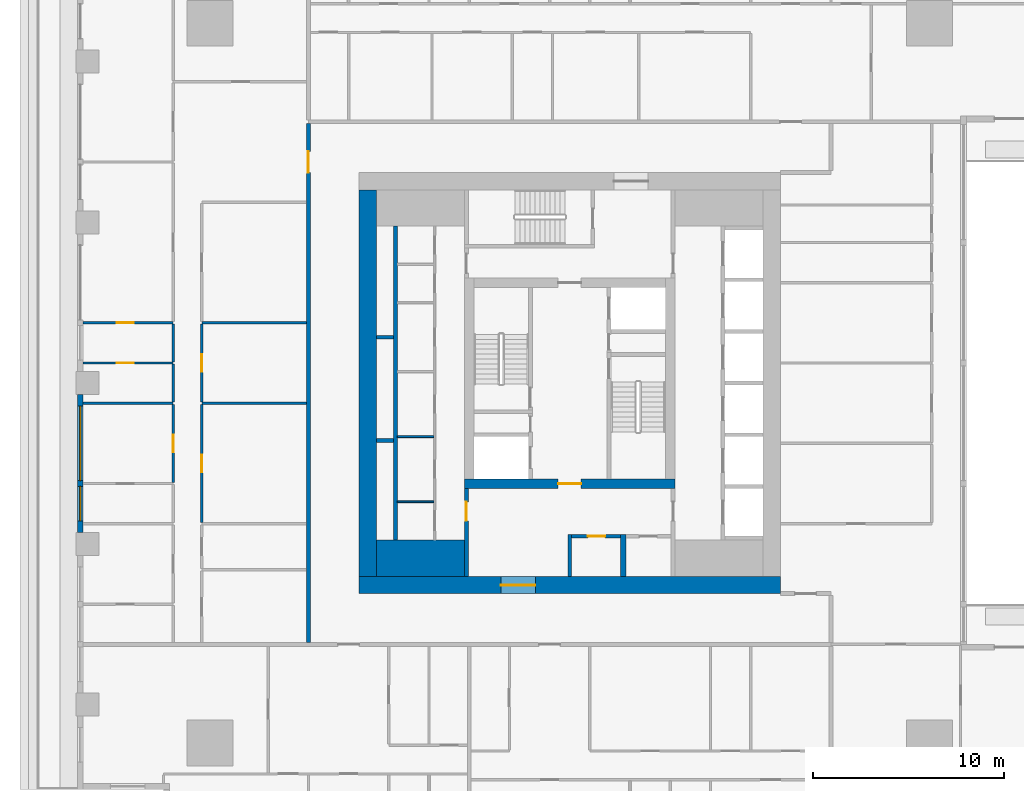
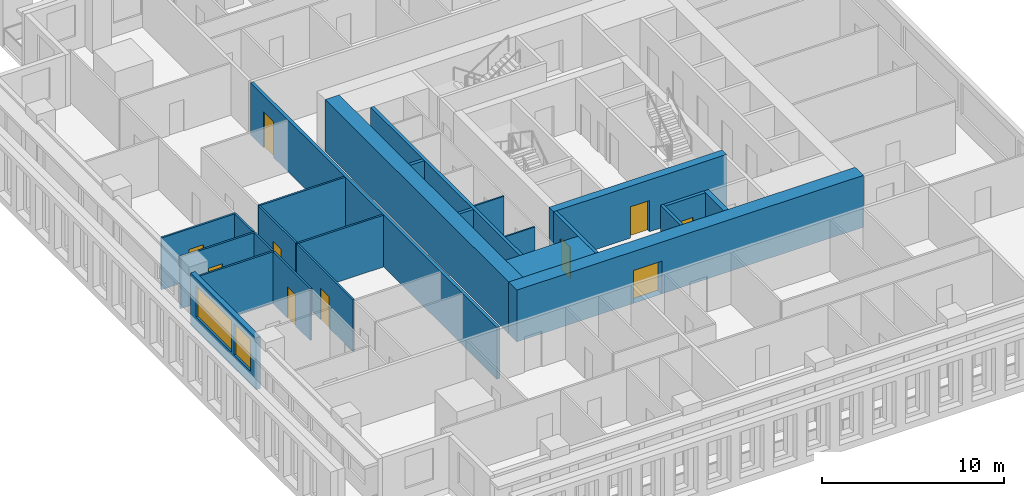
# One storey, part 3 of 15: 25 walls, 10 doors, 2 windows, 12 openings.
"""IFC4 building model written with IfcOpenShell, lengths in metres."""

from ifc_helpers import new_model, si_unit, direction, frame, frame_2d, origin, place, context, subcontext, project, spatial, rectangle, extrude, material, layer, layer_set, type_object, element, fill, save


model = new_model("IFC4")

# Units and contexts
model_context = context("Model", 3, precision=1e-05, world=origin(), true_north=direction((0.0, 1.0)))
body_context = subcontext(model_context, "Body", "Model", "MODEL_VIEW")
ifc_project = project(units=[si_unit("LENGTHUNIT", "METRE"), si_unit("AREAUNIT", "SQUARE_METRE"), si_unit("VOLUMEUNIT", "CUBIC_METRE"), si_unit("PLANEANGLEUNIT", "RADIAN"), si_unit("MASSUNIT", "GRAM", prefix="KILO")], contexts=[model_context])

# Site, building, storey
site_placement = place(None, origin())
site = spatial("IfcSite", under=ifc_project, at=site_placement, CompositionType="ELEMENT")
building_placement = place(site_placement, origin())
building = spatial("IfcBuilding", under=site, at=building_placement, Name="Khepri Terraces", CompositionType="ELEMENT")
storey_placement = place(building_placement, frame((0.0, 0.0, 227.39990234375)))
storey = spatial("IfcBuildingStorey", under=building, at=storey_placement, Name="L54", CompositionType="ELEMENT", Elevation=227.39990234375)

# Walls
ifc_material_1 = material(Name="Concrete C50/60", Category="concrete")
ifc_layer_1 = layer(ifc_material_1, 1.89990234375, Name="Concrete C50/60", Category="concrete")
ifc_layer_set_1 = layer_set([ifc_layer_1], Name="Concrete C50/60")
wall_type_1 = type_object("IfcWallType", Name="Core wall 1900 C50/60", PredefinedType="SHEAR", material=ifc_layer_set_1)
wall_1_placement = place(storey_placement, frame((-10.10009765625, -9.14990234375, 0.0), z_axis=(0.0, 0.0, 1.0), x_axis=(1.0, 0.0, 0.0)))
element("IfcWall", 1, at=wall_1_placement, inside=storey, type_object=wall_type_1, Name="Core wall PR01 L54", PredefinedType="SHEAR", context=body_context, shape_type="SweptSolid", body=[
    extrude(rectangle(XDim=4.60009765625, YDim=1.89990234375, at=frame_2d((2.300048828125, 0.0))), origin(), (0.0, 0.0, 1.0), 3.47998046875),
])
ifc_layer_2 = layer(ifc_material_1, 0.199951171875, Name="Concrete C50/60", Category="concrete")
ifc_layer_set_2 = layer_set([ifc_layer_2], Name="Concrete C50/60")
wall_type_2 = type_object("IfcWallType", Name="Core wall 200 C50/60", PredefinedType="SHEAR", material=ifc_layer_set_2)
wall_2_placement = place(storey_placement, frame((-9.10009765625, -8.199951171875, 0.0), z_axis=(0.0, 0.0, 1.0), x_axis=(0.0, 1.0, 0.0)))
element("IfcWall", 2, at=wall_2_placement, inside=storey, type_object=wall_type_2, Name="Core wall SH01 L54", PredefinedType="SHEAR", context=body_context, shape_type="SweptSolid", body=[
    extrude(rectangle(XDim=16.39990234375, YDim=0.199951171875, at=frame_2d((8.199951171875, 0.0))), origin(), (0.0, 0.0, 1.0), 3.47998046875),
])
for number, where, z_axis, x_axis, name in (
    (3, (-10.10009765625, -3.0, 0.0), (0.0, 0.0, 1.0), (1.0, 0.0, 0.0), "Core wall SH06 L54"),
    (4, (-10.10009765625, 2.39990234375, 0.0), (0.0, 0.0, 1.0), (1.0, 0.0, 0.0), "Core wall SH11 L54"),
):
    element("IfcWall", number, at=place(storey_placement, frame(where, z_axis=z_axis, x_axis=x_axis)), inside=storey, type_object=wall_type_2, Name=name, PredefinedType="SHEAR", context=body_context, shape_type="SweptSolid", body=[
        extrude(rectangle(XDim=0.900146484375, YDim=0.199951171875, at=frame_2d((0.4501953125, 0.0))), origin(), (0.0, 0.0, 1.0), 3.47998046875),
    ])

# Wall, opening, door
ifc_layer_3 = layer(ifc_material_1, 0.5, Name="Concrete C50/60", Category="concrete")
ifc_layer_set_3 = layer_set([ifc_layer_3], Name="Concrete C50/60")
wall_type_3 = type_object("IfcWallType", Name="Core wall 500 C50/60", PredefinedType="SHEAR", material=ifc_layer_set_3)
wall_3_placement = place(storey_placement, frame((-5.5, -5.25, 0.0), z_axis=(0.0, 0.0, 1.0), x_axis=(1.0, 0.0, 0.0)))
wall_3 = element("IfcWall", 5, at=wall_3_placement, inside=storey, type_object=wall_type_3, Name="Core wall BX01 L54", PredefinedType="SHEAR", context=body_context, shape_type="SweptSolid", body=[
    extrude(rectangle(XDim=11.0, YDim=0.5, at=frame_2d((5.5, 0.0))), origin(), (0.0, 0.0, 1.0), 3.47998046875),
])
opening_1_placement = place(wall_3_placement, frame((4.89990234375, 0.0, 0.0)))
opening_1 = element("IfcOpeningElement", 6, at=opening_1_placement, cuts=wall_3, Name="Opening L54-C14", PredefinedType="OPENING", context=body_context, shape_type="SweptSolid", body=[
    extrude(rectangle(XDim=1.199951171875, YDim=2.10009765625, at=frame_2d((0.60009765625, 1.050048828125))), frame((0.0, 0.260009765625, 0.0), z_axis=(0.0, -1.0, 0.0), x_axis=(1.0, 0.0, 0.0)), (0.0, 0.0, 1.0), 0.52001953125),
])
ifc_material_2 = material(Name="Painted steel", Category="steel")
door_type_1 = type_object("IfcDoorType", Name="DR-CORE-FF-LOBBY-1200", OperationType="NOTDEFINED", PredefinedType="DOOR", material=ifc_material_2)
door_1_placement = place(opening_1_placement, origin())
door_1 = element("IfcDoor", 7, at=door_1_placement, inside=storey, type_object=door_type_1, Name="Firefighting lobby door L54-C14", OperationType="SINGLE_SWING_RIGHT", OverallHeight=2.10009765625, OverallWidth=1.199951171875, PredefinedType="DOOR", context=body_context, shape_type="SweptSolid", body=[
    extrude(rectangle(XDim=1.199951171875, YDim=2.10009765625, at=frame_2d((0.60009765625, 1.050048828125))), frame((0.0, 0.02490234375, 0.0), z_axis=(0.0, -1.0, 0.0), x_axis=(1.0, 0.0, 0.0)), (0.0, 0.0, 1.0), 0.050048828125),
])
fill(opening_1, door_1)

ifc_layer_4 = layer(ifc_material_1, 0.89990234375, Name="Concrete C50/60", Category="concrete")
ifc_layer_set_4 = layer_set([ifc_layer_4], Name="Concrete C50/60")
wall_type_4 = type_object("IfcWallType", Name="Core wall 900 C50/60", PredefinedType="SHEAR", material=ifc_layer_set_4)
wall_4_placement = place(storey_placement, frame((-11.0, -10.550048828125, 0.0), z_axis=(0.0, 0.0, 1.0), x_axis=(1.0, 0.0, 0.0)))
wall_4 = element("IfcWall", 8, at=wall_4_placement, inside=storey, type_object=wall_type_4, Name="Core wall OW-S L54", PredefinedType="SHEAR", context=body_context, shape_type="SweptSolid", body=[
    extrude(rectangle(XDim=22.0, YDim=0.89990234375, at=frame_2d((11.0, 0.0))), origin(), (0.0, 0.0, 1.0), 3.47998046875),
])
opening_2_placement = place(wall_4_placement, frame((7.39990234375, 0.0, 0.0)))
opening_2 = element("IfcOpeningElement", 9, at=opening_2_placement, cuts=wall_4, Name="Opening L54-C21", PredefinedType="OPENING", context=body_context, shape_type="SweptSolid", body=[
    extrude(rectangle(XDim=1.800048828125, YDim=2.199951171875, at=frame_2d((0.89990234375, 1.10009765625))), frame((0.0, 0.4599609375, 0.0), z_axis=(0.0, -1.0, 0.0), x_axis=(1.0, 0.0, 0.0)), (0.0, 0.0, 1.0), 0.919921875),
])
door_type_2 = type_object("IfcDoorType", Name="DR-CORE-ENTRANCE-1800", OperationType="NOTDEFINED", PredefinedType="DOOR", material=ifc_material_2)
door_2_placement = place(opening_2_placement, frame((1.800048828125, 0.0, 0.0), z_axis=(0.0, 0.0, 1.0), x_axis=(-1.0, 0.0, 0.0)))
door_2 = element("IfcDoor", 10, at=door_2_placement, inside=storey, type_object=door_type_2, Name="Core entrance door pair L54-C21", OperationType="DOUBLE_DOOR_SINGLE_SWING", OverallHeight=2.199951171875, OverallWidth=1.800048828125, PredefinedType="DOOR", context=body_context, shape_type="SweptSolid", body=[
    extrude(rectangle(XDim=1.800048828125, YDim=2.199951171875, at=frame_2d((0.89990234375, 1.10009765625))), frame((0.0, 0.02490234375, 0.0), z_axis=(0.0, -1.0, 0.0), x_axis=(1.0, 0.0, 0.0)), (0.0, 0.0, 1.0), 0.050048828125),
])
fill(opening_2, door_2)

# Walls
wall_5_placement = place(storey_placement, frame((-10.550048828125, -10.10009765625, 0.0), z_axis=(0.0, 0.0, 1.0), x_axis=(0.0, 1.0, 0.0)))
element("IfcWall", 11, at=wall_5_placement, inside=storey, type_object=wall_type_4, Name="Core wall OW-W L54", PredefinedType="SHEAR", context=body_context, shape_type="SweptSolid", body=[
    extrude(rectangle(XDim=20.2001953125, YDim=0.89990234375, at=frame_2d((10.10009765625, 0.0))), origin(), (0.0, 0.0, 1.0), 3.47998046875),
])
ifc_material_3 = material(Name="Fire-rated gypsum board partition")
ifc_layer_5 = layer(ifc_material_3, 0.10009765625, Name="Fire-rated gypsum board partition")
ifc_layer_set_5 = layer_set([ifc_layer_5], Name="Fire-rated gypsum board partition")
wall_type_5 = type_object("IfcWallType", Name="WL-CORE-PART-100", PredefinedType="PARTITIONING", material=ifc_layer_set_5)
for number, where, z_axis, x_axis, name in (
    (12, (-9.0, -6.199951171875, 0.0), (0.0, 0.0, 1.0), (1.0, 0.0, 0.0), "Core partition PT08 L54"),
    (13, (-9.0, -2.800048828125, 0.0), (0.0, 0.0, 1.0), (1.0, 0.0, 0.0), "Core partition PT09 L54"),
):
    element("IfcWall", number, at=place(storey_placement, frame(where, z_axis=z_axis, x_axis=x_axis)), inside=storey, type_object=wall_type_5, Name=name, PredefinedType="PARTITIONING", context=body_context, shape_type="SweptSolid", body=[
        extrude(rectangle(XDim=1.89990234375, YDim=0.10009765625, at=frame_2d((0.949951171875, 0.0))), origin(), (0.0, 0.0, 1.0), 3.47998046875),
    ])

# Wall, opening, door
ifc_layer_6 = layer(ifc_material_3, 0.199951171875, Name="Fire-rated gypsum board partition")
ifc_layer_set_6 = layer_set([ifc_layer_6], Name="Fire-rated gypsum board partition")
wall_type_6 = type_object("IfcWallType", Name="WL-CORE-PART-200", PredefinedType="PARTITIONING", material=ifc_layer_set_6)
wall_6_placement = place(storey_placement, frame((-5.39990234375, -10.10009765625, 0.0), z_axis=(0.0, 0.0, 1.0), x_axis=(0.0, 1.0, 0.0)))
wall_6 = element("IfcWall", 14, at=wall_6_placement, inside=storey, type_object=wall_type_6, Name="Core partition PT01 L54", PredefinedType="PARTITIONING", context=body_context, shape_type="SweptSolid", body=[
    extrude(rectangle(XDim=4.60009765625, YDim=0.199951171875, at=frame_2d((2.300048828125, 0.0))), origin(), (0.0, 0.0, 1.0), 3.47998046875),
])
opening_3_placement = place(wall_6_placement, frame((2.89990234375, 0.0, 0.0)))
opening_3 = element("IfcOpeningElement", 15, at=opening_3_placement, cuts=wall_6, Name="Opening L54-C18", PredefinedType="OPENING", context=body_context, shape_type="SweptSolid", body=[
    extrude(rectangle(XDim=1.0, YDim=2.10009765625, at=frame_2d((0.5, 1.050048828125))), frame((0.0, 0.10986328125, 0.0), z_axis=(0.0, -1.0, 0.0), x_axis=(1.0, 0.0, 0.0)), (0.0, 0.0, 1.0), 0.219970703125),
])
door_type_3 = type_object("IfcDoorType", Name="DR-CORE-LOBBY-1000", OperationType="NOTDEFINED", PredefinedType="DOOR", material=ifc_material_2)
door_3_placement = place(opening_3_placement, frame((1.0, 0.0, 0.0), z_axis=(0.0, 0.0, 1.0), x_axis=(-1.0, 0.0, 0.0)))
door_3 = element("IfcDoor", 16, at=door_3_placement, inside=storey, type_object=door_type_3, Name="Lobby door L54-C18", OperationType="SINGLE_SWING_LEFT", OverallHeight=2.10009765625, OverallWidth=1.0, PredefinedType="DOOR", context=body_context, shape_type="SweptSolid", body=[
    extrude(rectangle(XDim=1.0, YDim=2.10009765625, at=frame_2d((0.5, 1.050048828125))), frame((0.0, 0.02490234375, 0.0), z_axis=(0.0, -1.0, 0.0), x_axis=(1.0, 0.0, 0.0)), (0.0, 0.0, 1.0), 0.050048828125),
])
fill(opening_3, door_3)

# Wall
wall_7_placement = place(storey_placement, frame((0.0, -10.10009765625, 0.0), z_axis=(0.0, 0.0, 1.0), x_axis=(0.0, 1.0, 0.0)))
element("IfcWall", 17, at=wall_7_placement, inside=storey, type_object=wall_type_6, Name="Core partition PT02 L54", PredefinedType="PARTITIONING", context=body_context, shape_type="SweptSolid", body=[
    extrude(rectangle(XDim=2.2001953125, YDim=0.199951171875, at=frame_2d((1.10009765625, 0.0))), origin(), (0.0, 0.0, 1.0), 3.47998046875),
])

# Wall, opening, door
wall_8_placement = place(storey_placement, frame((0.10009765625, -8.0, 0.0), z_axis=(0.0, 0.0, 1.0), x_axis=(1.0, 0.0, 0.0)))
wall_8 = element("IfcWall", 18, at=wall_8_placement, inside=storey, type_object=wall_type_6, Name="Core partition PT06 L54", PredefinedType="PARTITIONING", context=body_context, shape_type="SweptSolid", body=[
    extrude(rectangle(XDim=2.5498046875, YDim=0.199951171875, at=frame_2d((1.27490234375, 0.0))), origin(), (0.0, 0.0, 1.0), 3.47998046875),
])
opening_4_placement = place(wall_8_placement, frame((0.85009765625, 0.0, 0.0)))
opening_4 = element("IfcOpeningElement", 19, at=opening_4_placement, cuts=wall_8, Name="Opening L54-C22", PredefinedType="OPENING", context=body_context, shape_type="SweptSolid", body=[
    extrude(rectangle(XDim=0.89990234375, YDim=2.10009765625, at=frame_2d((0.449951171875, 1.050048828125))), frame((0.0, 0.10986328125, 0.0), z_axis=(0.0, -1.0, 0.0), x_axis=(1.0, 0.0, 0.0)), (0.0, 0.0, 1.0), 0.219970703125),
])
door_type_4 = type_object("IfcDoorType", Name="DR-CORE-SERVICE-900", OperationType="NOTDEFINED", PredefinedType="DOOR", material=ifc_material_2)
door_4_placement = place(opening_4_placement, frame((0.89990234375, 0.0, 0.0), z_axis=(0.0, 0.0, 1.0), x_axis=(-1.0, 0.0, 0.0)))
door_4 = element("IfcDoor", 20, at=door_4_placement, inside=storey, type_object=door_type_4, Name="Service room door L54-C22", OperationType="SINGLE_SWING_LEFT", OverallHeight=2.10009765625, OverallWidth=0.89990234375, PredefinedType="DOOR", context=body_context, shape_type="SweptSolid", body=[
    extrude(rectangle(XDim=0.89990234375, YDim=2.10009765625, at=frame_2d((0.449951171875, 1.050048828125))), frame((0.0, 0.02490234375, 0.0), z_axis=(0.0, -1.0, 0.0), x_axis=(1.0, 0.0, 0.0)), (0.0, 0.0, 1.0), 0.050048828125),
])
fill(opening_4, door_4)

# Wall
ifc_layer_7 = layer(ifc_material_3, 0.300048828125, Name="Fire-rated gypsum board partition")
ifc_layer_set_7 = layer_set([ifc_layer_7], Name="Fire-rated gypsum board partition")
wall_type_7 = type_object("IfcWallType", Name="WL-CORE-PART-300", PredefinedType="PARTITIONING", material=ifc_layer_set_7)
wall_9_placement = place(storey_placement, frame((2.800048828125, -10.10009765625, 0.0), z_axis=(0.0, 0.0, 1.0), x_axis=(0.0, 1.0, 0.0)))
element("IfcWall", 21, at=wall_9_placement, inside=storey, type_object=wall_type_7, Name="Core partition PT03 L54", PredefinedType="PARTITIONING", context=body_context, shape_type="SweptSolid", body=[
    extrude(rectangle(XDim=2.2001953125, YDim=0.300048828125, at=frame_2d((1.10009765625, 0.0))), origin(), (0.0, 0.0, 1.0), 3.47998046875),
])

# Wall, opening, door
ifc_material_4 = material(Name="Fire-rated gypsum plasterboard partition, mineral wool")
ifc_layer_8 = layer(ifc_material_4, 0.199951171875, Name="Fire-rated gypsum plasterboard partition, mineral wool")
ifc_layer_set_8 = layer_set([ifc_layer_8], Name="Fire-rated gypsum plasterboard partition, mineral wool")
wall_type_8 = type_object("IfcWallType", Name="WL-CORR-200", PredefinedType="PARTITIONING", material=ifc_layer_set_8)
wall_10_placement = place(storey_placement, frame((-13.64990234375, -13.550048828125, 0.0), z_axis=(0.0, 0.0, 1.0), x_axis=(0.0, 1.0, 0.0)))
wall_10 = element("IfcWall", 22, at=wall_10_placement, inside=storey, type_object=wall_type_8, Name="Partition P-029 L54", PredefinedType="PARTITIONING", context=body_context, shape_type="SweptSolid", body=[
    extrude(rectangle(XDim=27.10009765625, YDim=0.199951171875, at=frame_2d((13.550048828125, 0.0))), origin(), (0.0, 0.0, 1.0), 3.47998046875),
])
opening_5_placement = place(wall_10_placement, frame((24.550048828125, 0.0, 0.0)))
opening_5 = element("IfcOpeningElement", 23, at=opening_5_placement, cuts=wall_10, Name="Opening D1", PredefinedType="OPENING", context=body_context, shape_type="SweptSolid", body=[
    extrude(rectangle(XDim=1.10009765625, YDim=2.39990234375, at=frame_2d((0.550048828125, 1.199951171875))), frame((0.0, 0.10986328125, 0.0), z_axis=(0.0, -1.0, 0.0), x_axis=(1.0, 0.0, 0.0)), (0.0, 0.0, 1.0), 0.219970703125),
])
ifc_material_5 = material(Name="Solid-core timber door leaf, flat entrance door", Category="wood")
door_type_5 = type_object("IfcDoorType", Name="DR-ENT-1100", OperationType="NOTDEFINED", PredefinedType="DOOR", material=ifc_material_5)
door_5_placement = place(opening_5_placement, origin())
door_5 = element("IfcDoor", 24, at=door_5_placement, inside=storey, type_object=door_type_5, Name="Flat D1 entrance door", OperationType="SINGLE_SWING_RIGHT", OverallHeight=2.39990234375, OverallWidth=1.10009765625, PredefinedType="DOOR", context=body_context, shape_type="SweptSolid", body=[
    extrude(rectangle(XDim=1.10009765625, YDim=2.39990234375, at=frame_2d((0.550048828125, 1.199951171875))), frame((0.0, 0.02490234375, 0.0), z_axis=(0.0, -1.0, 0.0), x_axis=(1.0, 0.0, 0.0)), (0.0, 0.0, 1.0), 0.050048828125),
])
fill(opening_5, door_5)

# Wall, openings, windows
ifc_material_6 = material(Name="Precast concrete C50/60 warm stone", Category="masonry")
ifc_layer_9 = layer(ifc_material_6, 0.300048828125, Name="Precast concrete C50/60 warm stone", Category="masonry")
ifc_layer_set_9 = layer_set([ifc_layer_9], Name="Precast concrete C50/60 warm stone")
wall_type_9 = type_object("IfcWallType", Name="WL-EXT-PRECAST-300", PredefinedType="STANDARD", material=ifc_layer_set_9)
wall_11_placement = place(storey_placement, frame((-25.570068359375, -0.60009765625, 0.0), z_axis=(0.0, 0.0, 1.0), x_axis=(0.0, -1.0, 0.0)))
wall_11 = element("IfcWall", 25, at=wall_11_placement, inside=storey, type_object=wall_type_9, Name="External wall L54 W", PredefinedType="STANDARD", context=body_context, shape_type="SweptSolid", body=[
    extrude(rectangle(XDim=7.199951171875, YDim=0.300048828125, at=frame_2d((3.60009765625, 0.0))), origin(), (0.0, 0.0, 1.0), 3.47998046875),
])
opening_6_placement = place(wall_11_placement, frame((0.60009765625, 0.0, 0.89990234375)))
opening_6 = element("IfcOpeningElement", 26, at=opening_6_placement, cuts=wall_11, Name="Opening W2", PredefinedType="OPENING", context=body_context, shape_type="SweptSolid", body=[
    extrude(rectangle(XDim=3.89990234375, YDim=2.10009765625, at=frame_2d((1.949951171875, 1.050048828125))), frame((0.0, 0.16015625, 0.0), z_axis=(0.0, -1.0, 0.0), x_axis=(1.0, 0.0, 0.0)), (0.0, 0.0, 1.0), 0.320068359375),
])
opening_7_placement = place(wall_11_placement, frame((4.800048828125, 0.0, 0.89990234375)))
opening_7 = element("IfcOpeningElement", 27, at=opening_7_placement, cuts=wall_11, Name="Opening W1", PredefinedType="OPENING", context=body_context, shape_type="SweptSolid", body=[
    extrude(rectangle(XDim=1.800048828125, YDim=2.10009765625, at=frame_2d((0.89990234375, 1.050048828125))), frame((0.0, 0.16015625, 0.0), z_axis=(0.0, -1.0, 0.0), x_axis=(1.0, 0.0, 0.0)), (0.0, 0.0, 1.0), 0.320068359375),
])
ifc_material_7 = material(Name="Clear glass", Category="glass")
window_type_1 = type_object("IfcWindowType", Name="WIN-RES-1800x2100", PartitioningType="SINGLE_PANEL", PredefinedType="WINDOW", material=ifc_material_7)
window_1_placement = place(opening_7_placement, origin())
window_1 = element("IfcWindow", 28, at=window_1_placement, inside=storey, type_object=window_type_1, Name="Window L54 W", OverallHeight=2.10009765625, OverallWidth=1.800048828125, PartitioningType="SINGLE_PANEL", PredefinedType="WINDOW", context=body_context, shape_type="SweptSolid", body=[
    extrude(rectangle(XDim=1.800048828125, YDim=2.10009765625, at=frame_2d((0.89990234375, 1.050048828125))), frame((0.0, 0.030029296875, 0.0), z_axis=(0.0, -1.0, 0.0), x_axis=(1.0, 0.0, 0.0)), (0.0, 0.0, 1.0), 0.06005859375),
])
fill(opening_7, window_1)
window_type_2 = type_object("IfcWindowType", Name="WIN-RES-3900x2100", PartitioningType="SINGLE_PANEL", PredefinedType="WINDOW", material=ifc_material_7)
window_2_placement = place(opening_6_placement, origin())
window_2 = element("IfcWindow", 29, at=window_2_placement, inside=storey, type_object=window_type_2, Name="Window L54 W", OverallHeight=2.10009765625, OverallWidth=3.89990234375, PartitioningType="SINGLE_PANEL", PredefinedType="WINDOW", context=body_context, shape_type="SweptSolid", body=[
    extrude(rectangle(XDim=3.89990234375, YDim=2.10009765625, at=frame_2d((1.949951171875, 1.050048828125))), frame((0.0, 0.030029296875, 0.0), z_axis=(0.0, -1.0, 0.0), x_axis=(1.0, 0.0, 0.0)), (0.0, 0.0, 1.0), 0.06005859375),
])
fill(opening_6, window_2)

# Wall, opening, door
ifc_material_8 = material(Name="Gypsum plasterboard partition")
ifc_layer_10 = layer(ifc_material_8, 0.1201171875, Name="Gypsum plasterboard partition")
ifc_layer_set_10 = layer_set([ifc_layer_10], Name="Gypsum plasterboard partition")
wall_type_10 = type_object("IfcWallType", Name="WL-PART-120", PredefinedType="PARTITIONING", material=ifc_layer_set_10)
wall_12_placement = place(storey_placement, frame((-19.219970703125, -7.2900390625, 0.0), z_axis=(0.0, 0.0, 1.0), x_axis=(0.0, 1.0, 0.0)))
wall_12 = element("IfcWall", 30, at=wall_12_placement, inside=storey, type_object=wall_type_10, Name="Partition P-040 L54", PredefinedType="PARTITIONING", context=body_context, shape_type="SweptSolid", body=[
    extrude(rectangle(XDim=6.179931640625, YDim=0.1201171875, at=frame_2d((3.08984375, 0.0))), origin(), (0.0, 0.0, 1.0), 3.47998046875),
])
opening_8_placement = place(wall_12_placement, frame((2.639892578125, 0.0, 0.0)))
opening_8 = element("IfcOpeningElement", 31, at=opening_8_placement, cuts=wall_12, Name="Opening D3", PredefinedType="OPENING", context=body_context, shape_type="SweptSolid", body=[
    extrude(rectangle(XDim=0.89990234375, YDim=2.10009765625, at=frame_2d((0.449951171875, 1.050048828125))), frame((0.0, 0.070068359375, 0.0), z_axis=(0.0, -1.0, 0.0), x_axis=(1.0, 0.0, 0.0)), (0.0, 0.0, 1.0), 0.14013671875),
])
ifc_material_9 = material(Name="Timber door leaf", Category="wood")
door_type_6 = type_object("IfcDoorType", Name="DR-INT-900", OperationType="NOTDEFINED", PredefinedType="DOOR", material=ifc_material_9)
door_6_placement = place(opening_8_placement, frame((0.89990234375, 0.0, 0.0), z_axis=(0.0, 0.0, 1.0), x_axis=(-1.0, 0.0, 0.0)))
door_6 = element("IfcDoor", 32, at=door_6_placement, inside=storey, type_object=door_type_6, Name="Door Staff Bedroom", OperationType="SINGLE_SWING_LEFT", OverallHeight=2.10009765625, OverallWidth=0.89990234375, PredefinedType="DOOR", context=body_context, shape_type="SweptSolid", body=[
    extrude(rectangle(XDim=0.89990234375, YDim=2.10009765625, at=frame_2d((0.449951171875, 1.050048828125))), frame((0.0, 0.02490234375, 0.0), z_axis=(0.0, -1.0, 0.0), x_axis=(1.0, 0.0, 0.0)), (0.0, 0.0, 1.0), 0.050048828125),
])
fill(opening_8, door_6)

wall_13_placement = place(storey_placement, frame((-20.719970703125, -5.18994140625, 0.0), z_axis=(0.0, 0.0, 1.0), x_axis=(0.0, 1.0, 0.0)))
wall_13 = element("IfcWall", 33, at=wall_13_placement, inside=storey, type_object=wall_type_10, Name="Partition P-043 L54", PredefinedType="PARTITIONING", context=body_context, shape_type="SweptSolid", body=[
    extrude(rectangle(XDim=4.079833984375, YDim=0.1201171875, at=frame_2d((2.0400390625, 0.0))), origin(), (0.0, 0.0, 1.0), 3.47998046875),
])
opening_9_placement = place(wall_13_placement, frame((1.590087890625, 0.0, 0.0)))
opening_9 = element("IfcOpeningElement", 34, at=opening_9_placement, cuts=wall_13, Name="Opening D3", PredefinedType="OPENING", context=body_context, shape_type="SweptSolid", body=[
    extrude(rectangle(XDim=0.89990234375, YDim=2.10009765625, at=frame_2d((0.449951171875, 1.050048828125))), frame((0.0, 0.070068359375, 0.0), z_axis=(0.0, -1.0, 0.0), x_axis=(1.0, 0.0, 0.0)), (0.0, 0.0, 1.0), 0.14013671875),
])
door_7_placement = place(opening_9_placement, origin())
door_7 = element("IfcDoor", 35, at=door_7_placement, inside=storey, type_object=door_type_6, Name="Door Bedroom", OperationType="SINGLE_SWING_RIGHT", OverallHeight=2.10009765625, OverallWidth=0.89990234375, PredefinedType="DOOR", context=body_context, shape_type="SweptSolid", body=[
    extrude(rectangle(XDim=0.89990234375, YDim=2.10009765625, at=frame_2d((0.449951171875, 1.050048828125))), frame((0.0, 0.02490234375, 0.0), z_axis=(0.0, -1.0, 0.0), x_axis=(1.0, 0.0, 0.0)), (0.0, 0.0, 1.0), 0.050048828125),
])
fill(opening_9, door_7)

# Walls
wall_14_placement = place(storey_placement, frame((-25.419921875, -1.050048828125, 0.0), z_axis=(0.0, 0.0, 1.0), x_axis=(1.0, 0.0, 0.0)))
element("IfcWall", 36, at=wall_14_placement, inside=storey, type_object=wall_type_10, Name="Partition P-046 L54", PredefinedType="PARTITIONING", context=body_context, shape_type="SweptSolid", body=[
    extrude(rectangle(XDim=4.699951171875, YDim=0.1201171875, at=frame_2d((2.35009765625, 0.0))), origin(), (0.0, 0.0, 1.0), 3.47998046875),
])
wall_15_placement = place(storey_placement, frame((-19.219970703125, -1.050048828125, 0.0), z_axis=(0.0, 0.0, 1.0), x_axis=(1.0, 0.0, 0.0)))
element("IfcWall", 37, at=wall_15_placement, inside=storey, type_object=wall_type_10, Name="Partition P-047 L54", PredefinedType="PARTITIONING", context=body_context, shape_type="SweptSolid", body=[
    extrude(rectangle(XDim=5.469970703125, YDim=0.1201171875, at=frame_2d((2.73486328125, 0.0))), origin(), (0.0, 0.0, 1.0), 3.47998046875),
])
wall_16_placement = place(storey_placement, frame((-20.719970703125, -0.989990234375, 0.0), z_axis=(0.0, 0.0, 1.0), x_axis=(0.0, 1.0, 0.0)))
element("IfcWall", 38, at=wall_16_placement, inside=storey, type_object=wall_type_10, Name="Partition P-048 L54", PredefinedType="PARTITIONING", context=body_context, shape_type="SweptSolid", body=[
    extrude(rectangle(XDim=1.97998046875, YDim=0.1201171875, at=frame_2d((0.989990234375, 0.0))), origin(), (0.0, 0.0, 1.0), 3.47998046875),
])

# Wall, opening, door
wall_17_placement = place(storey_placement, frame((-19.219970703125, -0.989990234375, 0.0), z_axis=(0.0, 0.0, 1.0), x_axis=(0.0, 1.0, 0.0)))
wall_17 = element("IfcWall", 39, at=wall_17_placement, inside=storey, type_object=wall_type_10, Name="Partition P-049 L54", PredefinedType="PARTITIONING", context=body_context, shape_type="SweptSolid", body=[
    extrude(rectangle(XDim=4.080078125, YDim=0.1201171875, at=frame_2d((2.0400390625, 0.0))), origin(), (0.0, 0.0, 1.0), 3.47998046875),
])
opening_10_placement = place(wall_17_placement, frame((1.590087890625, 0.0, 0.0)))
opening_10 = element("IfcOpeningElement", 40, at=opening_10_placement, cuts=wall_17, Name="Opening D3", PredefinedType="OPENING", context=body_context, shape_type="SweptSolid", body=[
    extrude(rectangle(XDim=0.89990234375, YDim=2.10009765625, at=frame_2d((0.449951171875, 1.050048828125))), frame((0.0, 0.070068359375, 0.0), z_axis=(0.0, -1.0, 0.0), x_axis=(1.0, 0.0, 0.0)), (0.0, 0.0, 1.0), 0.14013671875),
])
door_8_placement = place(opening_10_placement, frame((0.89990234375, 0.0, 0.0), z_axis=(0.0, 0.0, 1.0), x_axis=(-1.0, 0.0, 0.0)))
door_8 = element("IfcDoor", 41, at=door_8_placement, inside=storey, type_object=door_type_6, Name="Door Service Store", OperationType="SINGLE_SWING_LEFT", OverallHeight=2.10009765625, OverallWidth=0.89990234375, PredefinedType="DOOR", context=body_context, shape_type="SweptSolid", body=[
    extrude(rectangle(XDim=0.89990234375, YDim=2.10009765625, at=frame_2d((0.449951171875, 1.050048828125))), frame((0.0, 0.02490234375, 0.0), z_axis=(0.0, -1.0, 0.0), x_axis=(1.0, 0.0, 0.0)), (0.0, 0.0, 1.0), 0.050048828125),
])
fill(opening_10, door_8)

wall_18_placement = place(storey_placement, frame((-25.419921875, 1.050048828125, 0.0), z_axis=(0.0, 0.0, 1.0), x_axis=(1.0, 0.0, 0.0)))
wall_18 = element("IfcWall", 42, at=wall_18_placement, inside=storey, type_object=wall_type_10, Name="Partition P-050 L54", PredefinedType="PARTITIONING", context=body_context, shape_type="SweptSolid", body=[
    extrude(rectangle(XDim=4.699951171875, YDim=0.1201171875, at=frame_2d((2.35009765625, 0.0))), origin(), (0.0, 0.0, 1.0), 3.47998046875),
])
opening_11_placement = place(wall_18_placement, frame((1.75, 0.0, 0.0)))
opening_11 = element("IfcOpeningElement", 43, at=opening_11_placement, cuts=wall_18, Name="Opening D4", PredefinedType="OPENING", context=body_context, shape_type="SweptSolid", body=[
    extrude(rectangle(XDim=0.89990234375, YDim=2.10009765625, at=frame_2d((0.449951171875, 1.050048828125))), frame((0.0, 0.070068359375, 0.0), z_axis=(0.0, -1.0, 0.0), x_axis=(1.0, 0.0, 0.0)), (0.0, 0.0, 1.0), 0.14013671875),
])
ifc_material_10 = material(Name="Timber door leaf, moisture resistant", Category="wood")
door_type_7 = type_object("IfcDoorType", Name="DR-WET-900", OperationType="NOTDEFINED", PredefinedType="DOOR", material=ifc_material_10)
door_9_placement = place(opening_11_placement, frame((0.89990234375, 0.0, 0.0), z_axis=(0.0, 0.0, 1.0), x_axis=(-1.0, 0.0, 0.0)))
door_9 = element("IfcDoor", 44, at=door_9_placement, inside=storey, type_object=door_type_7, Name="Door Bathroom", OperationType="SINGLE_SWING_RIGHT", OverallHeight=2.10009765625, OverallWidth=0.89990234375, PredefinedType="DOOR", context=body_context, shape_type="SweptSolid", body=[
    extrude(rectangle(XDim=0.89990234375, YDim=2.10009765625, at=frame_2d((0.449951171875, 1.050048828125))), frame((0.0, 0.02490234375, 0.0), z_axis=(0.0, -1.0, 0.0), x_axis=(1.0, 0.0, 0.0)), (0.0, 0.0, 1.0), 0.050048828125),
])
fill(opening_11, door_9)

# Wall
wall_19_placement = place(storey_placement, frame((-20.719970703125, 1.110107421875, 0.0), z_axis=(0.0, 0.0, 1.0), x_axis=(0.0, 1.0, 0.0)))
element("IfcWall", 45, at=wall_19_placement, inside=storey, type_object=wall_type_10, Name="Partition P-052 L54", PredefinedType="PARTITIONING", context=body_context, shape_type="SweptSolid", body=[
    extrude(rectangle(XDim=1.97998046875, YDim=0.1201171875, at=frame_2d((0.989990234375, 0.0))), origin(), (0.0, 0.0, 1.0), 3.47998046875),
])

# Wall, opening, door
wall_20_placement = place(storey_placement, frame((-25.419921875, 3.14990234375, 0.0), z_axis=(0.0, 0.0, 1.0), x_axis=(1.0, 0.0, 0.0)))
wall_20 = element("IfcWall", 46, at=wall_20_placement, inside=storey, type_object=wall_type_10, Name="Partition P-054 L54", PredefinedType="PARTITIONING", context=body_context, shape_type="SweptSolid", body=[
    extrude(rectangle(XDim=4.699951171875, YDim=0.1201171875, at=frame_2d((2.35009765625, 0.0))), origin(), (0.0, 0.0, 1.0), 3.47998046875),
])
opening_12_placement = place(wall_20_placement, frame((1.75, 0.0, 0.0)))
opening_12 = element("IfcOpeningElement", 47, at=opening_12_placement, cuts=wall_20, Name="Opening D3", PredefinedType="OPENING", context=body_context, shape_type="SweptSolid", body=[
    extrude(rectangle(XDim=0.89990234375, YDim=2.10009765625, at=frame_2d((0.449951171875, 1.050048828125))), frame((0.0, 0.070068359375, 0.0), z_axis=(0.0, -1.0, 0.0), x_axis=(1.0, 0.0, 0.0)), (0.0, 0.0, 1.0), 0.14013671875),
])
door_10_placement = place(opening_12_placement, frame((0.89990234375, 0.0, 0.0), z_axis=(0.0, 0.0, 1.0), x_axis=(-1.0, 0.0, 0.0)))
door_10 = element("IfcDoor", 48, at=door_10_placement, inside=storey, type_object=door_type_6, Name="Door Dressing Room", OperationType="SINGLE_SWING_RIGHT", OverallHeight=2.10009765625, OverallWidth=0.89990234375, PredefinedType="DOOR", context=body_context, shape_type="SweptSolid", body=[
    extrude(rectangle(XDim=0.89990234375, YDim=2.10009765625, at=frame_2d((0.449951171875, 1.050048828125))), frame((0.0, 0.02490234375, 0.0), z_axis=(0.0, -1.0, 0.0), x_axis=(1.0, 0.0, 0.0)), (0.0, 0.0, 1.0), 0.050048828125),
])
fill(opening_12, door_10)

# Wall
wall_21_placement = place(storey_placement, frame((-19.219970703125, 3.14990234375, 0.0), z_axis=(0.0, 0.0, 1.0), x_axis=(1.0, 0.0, 0.0)))
element("IfcWall", 49, at=wall_21_placement, inside=storey, type_object=wall_type_10, Name="Partition P-055 L54", PredefinedType="PARTITIONING", context=body_context, shape_type="SweptSolid", body=[
    extrude(rectangle(XDim=5.469970703125, YDim=0.1201171875, at=frame_2d((2.73486328125, 0.0))), origin(), (0.0, 0.0, 1.0), 3.47998046875),
])

save(model, "model.ifc")
